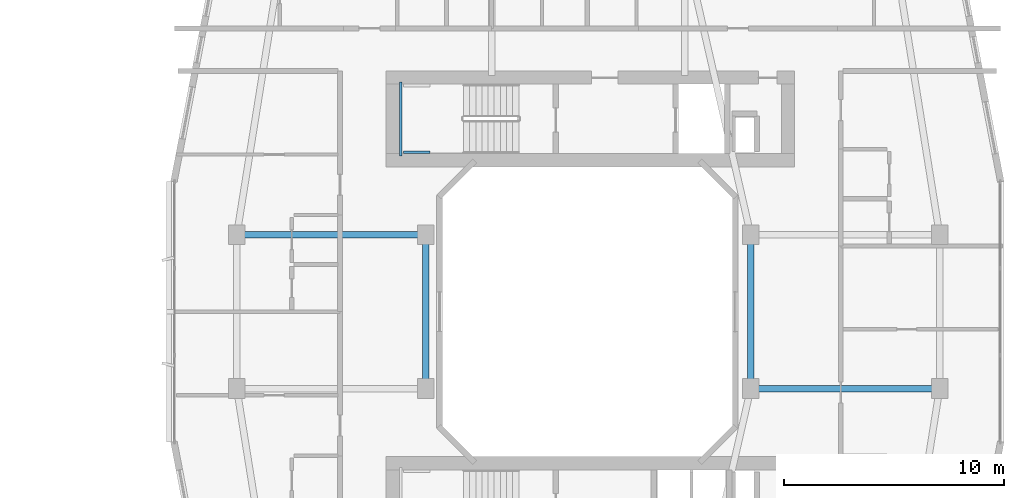
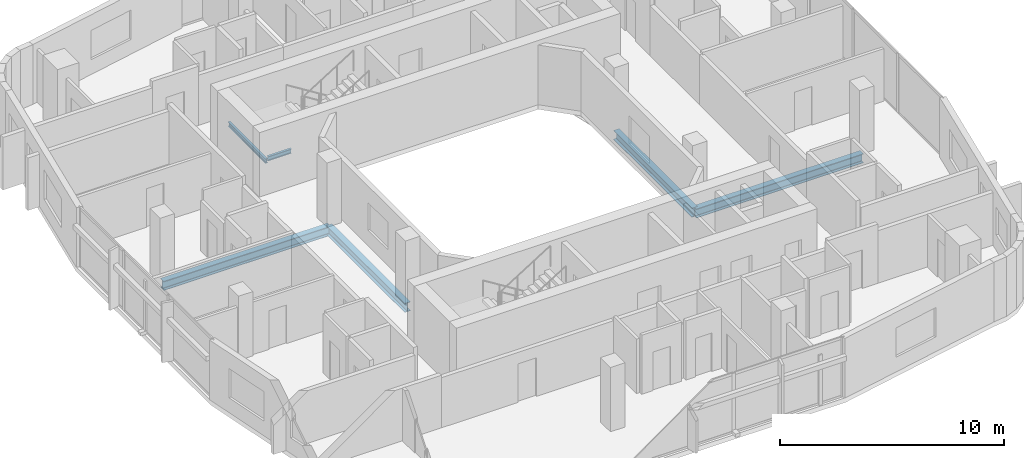
# One storey, part 9 of 26: 6 beams.
"""IFC4 building model written with IfcOpenShell, lengths in metres."""

import ifcopenshell
import ifcopenshell.guid

model = None  # the IFC model being written
_history = None  # IfcOwnerHistory: only IFC2X3 demands one
_inside = {}  # id of a spatial element -> (the spatial element, [elements in it])
_under = {}  # id of a project, library or spatial element -> (it, [spatial elements below it])
_declared = {}  # id of a project -> (the project, [libraries it declares])
_typed = {}  # id of a type object -> (the type object, [elements of that type])
_made_of = {}  # id of a material, layer set ... -> (it, [elements and type objects made of it])


def new_model(schema):
    """Start an empty IFC model of exactly this schema.

    Asked for "IFC4X3", IfcOpenShell would pick the latest addendum, in which some entities
    have other attributes; the version numbers below select the first issue.
    IFC2X3 requires an IfcOwnerHistory on every rooted entity: one is made here for all.
    """
    global model, _history
    if schema == "IFC4X3":
        model = ifcopenshell.file(schema_version=(4, 3, 0, 0))
    else:
        model = ifcopenshell.file(schema=schema)
    _inside.clear()
    _under.clear()
    _declared.clear()
    _typed.clear()
    _made_of.clear()
    _history = None
    if model.schema == "IFC2X3":
        org = make("IfcOrganization", Name="unknown")
        user = make(
            "IfcPersonAndOrganization",
            ThePerson=make("IfcPerson", FamilyName="unknown"),
            TheOrganization=org,
        )
        app = make(
            "IfcApplication",
            ApplicationDeveloper=org,
            Version="unknown",
            ApplicationFullName="unknown",
            ApplicationIdentifier="unknown",
        )
        _history = make(
            "IfcOwnerHistory",
            OwningUser=user,
            OwningApplication=app,
            ChangeAction="ADDED",
            CreationDate=0,
        )
    return model


def make(cls, **values):
    """One entity of the class cls with the attributes given. An attribute that is None is left unset."""
    return model.create_entity(
        cls, **{name: value for name, value in values.items() if value is not None}
    )


def rooted(cls, **values):
    """An entity with a GlobalId (a new one), such as an element, a storey or a relation."""
    return make(cls, GlobalId=ifcopenshell.guid.new(), OwnerHistory=_history, **values)


def si_unit(unit_type, name, prefix=None):
    """IfcSIUnit, for example si_unit("LENGTHUNIT", "METRE", prefix="MILLI")."""
    return make("IfcSIUnit", UnitType=unit_type, Prefix=prefix, Name=name)


def derived_unit(unit_type, elements):
    """IfcDerivedUnit: a product of units, each with its exponent."""
    return make(
        "IfcDerivedUnit",
        Elements=[
            make("IfcDerivedUnitElement", Unit=unit, Exponent=power)
            for unit, power in elements
        ],
        UnitType=unit_type,
    )


def assignment(units):
    """IfcUnitAssignment: the units of a project."""
    return None if units is None else make("IfcUnitAssignment", Units=units)


def point(xyz):
    """IfcCartesianPoint."""
    return None if xyz is None else make("IfcCartesianPoint", Coordinates=xyz)


def direction(xyz):
    """IfcDirection."""
    return None if xyz is None else make("IfcDirection", DirectionRatios=xyz)


def frame(location, z_axis=None, x_axis=None):
    """IfcAxis2Placement3D, a coordinate frame: its origin and axes. An axis left out is left unset."""
    return make(
        "IfcAxis2Placement3D",
        Location=point(location),
        Axis=direction(z_axis),
        RefDirection=direction(x_axis),
    )


def frame_2d(location, x_axis=None):
    """IfcAxis2Placement2D, a coordinate frame in the plane: its origin and x axis."""
    return make(
        "IfcAxis2Placement2D", Location=point(location), RefDirection=direction(x_axis)
    )


def origin():
    """The frame at (0, 0, 0) with its axes left unset."""
    return frame((0.0, 0.0, 0.0))


def origin_2d():
    """The frame at (0, 0) in the plane with its x axis left unset."""
    return frame_2d((0.0, 0.0))


def place(relative_to, where):
    """IfcLocalPlacement: puts the frame where relative to a parent placement (None: the world)."""
    return make(
        "IfcLocalPlacement", PlacementRelTo=relative_to, RelativePlacement=where
    )


def context(
    kind, dimensions, precision=None, world=None, true_north=None, identifier=None
):
    """IfcGeometricRepresentationContext, for example the 3D "Model" context."""
    return make(
        "IfcGeometricRepresentationContext",
        ContextIdentifier=identifier,
        ContextType=kind,
        CoordinateSpaceDimension=dimensions,
        Precision=precision,
        WorldCoordinateSystem=world,
        TrueNorth=true_north,
    )


def subcontext(parent, identifier, kind, view, scale=None):
    """IfcGeometricRepresentationSubContext, for example "Body" below "Model"."""
    return make(
        "IfcGeometricRepresentationSubContext",
        ContextIdentifier=identifier,
        ContextType=kind,
        ParentContext=parent,
        TargetScale=scale,
        TargetView=view,
    )


def project(units=None, contexts=None):
    """IfcProject with its units and contexts."""
    return rooted(
        "IfcProject",
        Name="project",
        RepresentationContexts=contexts,
        UnitsInContext=assignment(units),
    )


def spatial(cls, under=None, at=None, **own):
    """A site, building, storey or space (cls), placed at a placement, below another one or the project."""
    s = rooted(cls, ObjectPlacement=at, **own)
    if under is not None:
        _under.setdefault(under.id(), (under, []))[1].append(s)
    return s


def profile(cls, at=None, kind="AREA", **sizes):
    """A parametric profile (cls). Its sizes go by their IFC names, for example OverallWidth=200.0."""
    return make(cls, ProfileType=kind, Position=at, **sizes)


def i_section(**sizes):
    """IfcIShapeProfileDef."""
    return profile("IfcIShapeProfileDef", **sizes)


def extrude(swept, where, along, depth):
    """IfcExtrudedAreaSolid: the profile swept, set in the frame where, extruded along a direction by depth."""
    return make(
        "IfcExtrudedAreaSolid",
        SweptArea=swept,
        Position=where,
        ExtrudedDirection=direction(along),
        Depth=depth,
    )


def shape(context_of_items, identifier, shape_type, items):
    """IfcShapeRepresentation: the items that make up one representation, for example the "Body"."""
    return make(
        "IfcShapeRepresentation",
        ContextOfItems=context_of_items,
        RepresentationIdentifier=identifier,
        RepresentationType=shape_type,
        Items=items,
    )


def material(Name=None, Category=None):
    """IfcMaterial."""
    return make("IfcMaterial", Name=Name, Category=Category)


def material_profile(
    of_material, cross_section, Name=None, Category=None, Priority=None
):
    """IfcMaterialProfile: a cross section and its material."""
    return make(
        "IfcMaterialProfile",
        Name=Name,
        Material=of_material,
        Profile=cross_section,
        Priority=Priority,
        Category=Category,
    )


def profile_set(profiles, Name=None, composite=None):
    """IfcMaterialProfileSet."""
    return make(
        "IfcMaterialProfileSet",
        Name=Name,
        MaterialProfiles=profiles,
        CompositeProfile=composite,
    )


def made_of(thing, what):
    """Note that an element or type object is made of a material, layer set ...; save() writes the relation."""
    if what is not None:
        _made_of.setdefault(what.id(), (what, []))[1].append(thing)
    return thing


def type_object(cls, material=None, **own):
    """A type object (cls), such as IfcWallType, which elements share."""
    return made_of(rooted(cls, **own), material)


def element(
    cls,
    number,
    at=None,
    inside=None,
    cuts=None,
    type_object=None,
    material=None,
    context=None,
    identifier="Body",
    shape_type=None,
    held_by="IfcProductDefinitionShape",
    body=None,
    shapes=None,
    **own,
):
    """One element of the class cls, such as IfcWall. Its Tag is "e" and its number.

    at: its placement. inside: the storey or other place that contains it. cuts: it is an
    opening in that element (IfcRelVoidsElement). A single representation is given by context,
    identifier, shape_type and body (its items); several are given by shapes. held_by: the class
    of the entity that holds the representations. save() writes the other relations.
    """
    e = rooted(cls, Tag="e%d" % number, ObjectPlacement=at, **own)
    if body is not None:
        shapes = [shape(context, identifier, shape_type, body)]
    if shapes is not None:
        e.Representation = make(held_by, Representations=shapes)
    if inside is not None:
        _inside.setdefault(inside.id(), (inside, []))[1].append(e)
    if cuts is not None:
        rooted(
            "IfcRelVoidsElement", RelatingBuildingElement=cuts, RelatedOpeningElement=e
        )
    if type_object is not None:
        _typed.setdefault(type_object.id(), (type_object, []))[1].append(e)
    return made_of(e, material)


def aggregate(whole, parts):
    """IfcRelAggregates: a whole, such as a stair, and the parts it consists of."""
    return rooted("IfcRelAggregates", RelatingObject=whole, RelatedObjects=parts)


def save(model, path):
    """Write the relations noted so far, then the file.

    IfcRelAggregates (storeys below a building ...), IfcRelContainedInSpatialStructure (elements
    in a storey), IfcRelDefinesByType, IfcRelAssociatesMaterial and IfcRelDeclares: one each for
    every whole, place, type object, material and project.
    """
    for whole, parts in _under.values():
        aggregate(whole, parts)
    for where, things in _inside.values():
        rooted(
            "IfcRelContainedInSpatialStructure",
            RelatedElements=things,
            RelatingStructure=where,
        )
    for kind, things in _typed.values():
        rooted("IfcRelDefinesByType", RelatedObjects=things, RelatingType=kind)
    for what, things in _made_of.values():
        rooted("IfcRelAssociatesMaterial", RelatedObjects=things, RelatingMaterial=what)
    for by, libraries in _declared.values():
        rooted("IfcRelDeclares", RelatingContext=by, RelatedDefinitions=libraries)
    model.write(path)


model = new_model("IFC4")

# Units and contexts
model_context = context("Model", 3, precision=1e-05, world=origin(), true_north=direction((0.0, 1.0)))
body_context = subcontext(model_context, "Body", "Model", "MODEL_VIEW")
ifc_project = project(units=[si_unit("LENGTHUNIT", "METRE"), si_unit("AREAUNIT", "SQUARE_METRE"), si_unit("VOLUMEUNIT", "CUBIC_METRE"), si_unit("PLANEANGLEUNIT", "RADIAN"), si_unit("MASSUNIT", "GRAM", prefix="KILO"), derived_unit("THERMALTRANSMITTANCEUNIT", [(si_unit("POWERUNIT", "WATT"), 1), (si_unit("LENGTHUNIT", "METRE"), -2), (si_unit("THERMODYNAMICTEMPERATUREUNIT", "KELVIN"), -1)])], contexts=[model_context])

# Site, building, storey
site_placement = place(None, origin())
site = spatial("IfcSite", under=ifc_project, at=site_placement, CompositionType="ELEMENT")
building_placement = place(site_placement, origin())
building = spatial("IfcBuilding", under=site, at=building_placement, Name="Kivonza Crest Hotel", CompositionType="ELEMENT")
storey_placement = place(building_placement, frame((0.0, 0.0, 45.0)))
storey = spatial("IfcBuildingStorey", under=building, at=storey_placement, Name="L11", CompositionType="ELEMENT", Elevation=45.0)

# Beams
ifc_material = material(Name="Steel S355", Category="steel")
ifc_material_profile_1 = material_profile(ifc_material, i_section(OverallWidth=0.300048828125, OverallDepth=0.5, WebThickness=0.014404296875, FlangeThickness=0.028076171875, FilletRadius=0.027099609375, at=origin_2d()), Name="HEB 500")
ifc_profile_set_1 = profile_set([ifc_material_profile_1], Name="Steel S355")
beam_type_1 = type_object("IfcBeamType", Name="BM-HEB500", PredefinedType="BEAM", material=ifc_profile_set_1)
beam_1_placement = place(storey_placement, frame((61.0, 28.5, -0.5), z_axis=(1.0, 0.0, 0.0), x_axis=(0.0, 1.0, 0.0)))
element("IfcBeam", 1, at=beam_1_placement, inside=storey, type_object=beam_type_1, Name="Companion Tower T2 L11 girder W2-WL2", PredefinedType="BEAM", context=body_context, shape_type="SweptSolid", body=[
    extrude(i_section(OverallWidth=0.300048828125, OverallDepth=0.5, WebThickness=0.014404296875, FlangeThickness=0.028076171875, FilletRadius=0.027099609375, at=origin_2d()), origin(), (0.0, 0.0, 1.0), 8.60009765625),
])
beam_2_placement = place(storey_placement, frame((69.60009765625, 21.5, -0.5), z_axis=(0.0, 1.0, 0.0), x_axis=(-1.0, 0.0, 0.0)))
element("IfcBeam", 2, at=beam_2_placement, inside=storey, type_object=beam_type_1, Name="Companion Tower T2 L11 girder WL1-WL2", PredefinedType="BEAM", context=body_context, shape_type="SweptSolid", body=[
    extrude(i_section(OverallWidth=0.300048828125, OverallDepth=0.5, WebThickness=0.014404296875, FlangeThickness=0.028076171875, FilletRadius=0.027099609375, at=origin_2d()), origin(), (0.0, 0.0, 1.0), 7.0),
])
beam_3_placement = place(storey_placement, frame((84.39990234375, 21.5, -0.5), z_axis=(1.0, 0.0, 0.0), x_axis=(0.0, 1.0, 0.0)))
element("IfcBeam", 3, at=beam_3_placement, inside=storey, type_object=beam_type_1, Name="Companion Tower T2 L11 girder WR1-E1", PredefinedType="BEAM", context=body_context, shape_type="SweptSolid", body=[
    extrude(i_section(OverallWidth=0.300048828125, OverallDepth=0.5, WebThickness=0.014404296875, FlangeThickness=0.028076171875, FilletRadius=0.027099609375, at=origin_2d()), origin(), (0.0, 0.0, 1.0), 8.60009765625),
])
beam_4_placement = place(storey_placement, frame((84.39990234375, 21.5, -0.5), z_axis=(0.0, 1.0, 0.0), x_axis=(-1.0, 0.0, 0.0)))
element("IfcBeam", 4, at=beam_4_placement, inside=storey, type_object=beam_type_1, Name="Companion Tower T2 L11 girder WR1-WR2", PredefinedType="BEAM", context=body_context, shape_type="SweptSolid", body=[
    extrude(i_section(OverallWidth=0.300048828125, OverallDepth=0.5, WebThickness=0.014404296875, FlangeThickness=0.028076171875, FilletRadius=0.027099609375, at=origin_2d()), origin(), (0.0, 0.0, 1.0), 7.0),
])
ifc_material_profile_2 = material_profile(ifc_material, i_section(OverallWidth=0.1201171875, OverallDepth=0.239990234375, WebThickness=0.006103515625, FlangeThickness=0.009765625, FilletRadius=0.014892578125, at=origin_2d()), Name="IPE 240")
ifc_profile_set_2 = profile_set([ifc_material_profile_2], Name="Steel S355")
beam_type_2 = type_object("IfcBeamType", Name="BM-LLDG-240", PredefinedType="BEAM", material=ifc_profile_set_2)
beam_5_placement = place(storey_placement, frame((68.4599609375, 32.10009765625, 1.429931640625), z_axis=(0.0, 1.0, 0.0), x_axis=(-1.0, 0.0, 0.0)))
element("IfcBeam", 5, at=beam_5_placement, inside=storey, type_object=beam_type_2, Name="Stair ST-T2-N L11 West landing corbel", PredefinedType="BEAM", context=body_context, shape_type="SweptSolid", body=[
    extrude(i_section(OverallWidth=0.1201171875, OverallDepth=0.239990234375, WebThickness=0.006103515625, FlangeThickness=0.009765625, FilletRadius=0.014892578125, at=origin_2d()), origin(), (0.0, 0.0, 1.0), 3.35986328125),
])
beam_6_placement = place(storey_placement, frame((68.590087890625, 32.260009765625, 1.429931640625), z_axis=(1.0, 0.0, 0.0), x_axis=(0.0, 1.0, 0.0)))
element("IfcBeam", 6, at=beam_6_placement, inside=storey, type_object=beam_type_2, Name="Stair ST-T2-N L11 South landing corbel", PredefinedType="BEAM", context=body_context, shape_type="SweptSolid", body=[
    extrude(i_section(OverallWidth=0.1201171875, OverallDepth=0.239990234375, WebThickness=0.006103515625, FlangeThickness=0.009765625, FilletRadius=0.014892578125, at=origin_2d()), origin(), (0.0, 0.0, 1.0), 1.2099609375),
])

save(model, "model.ifc")
